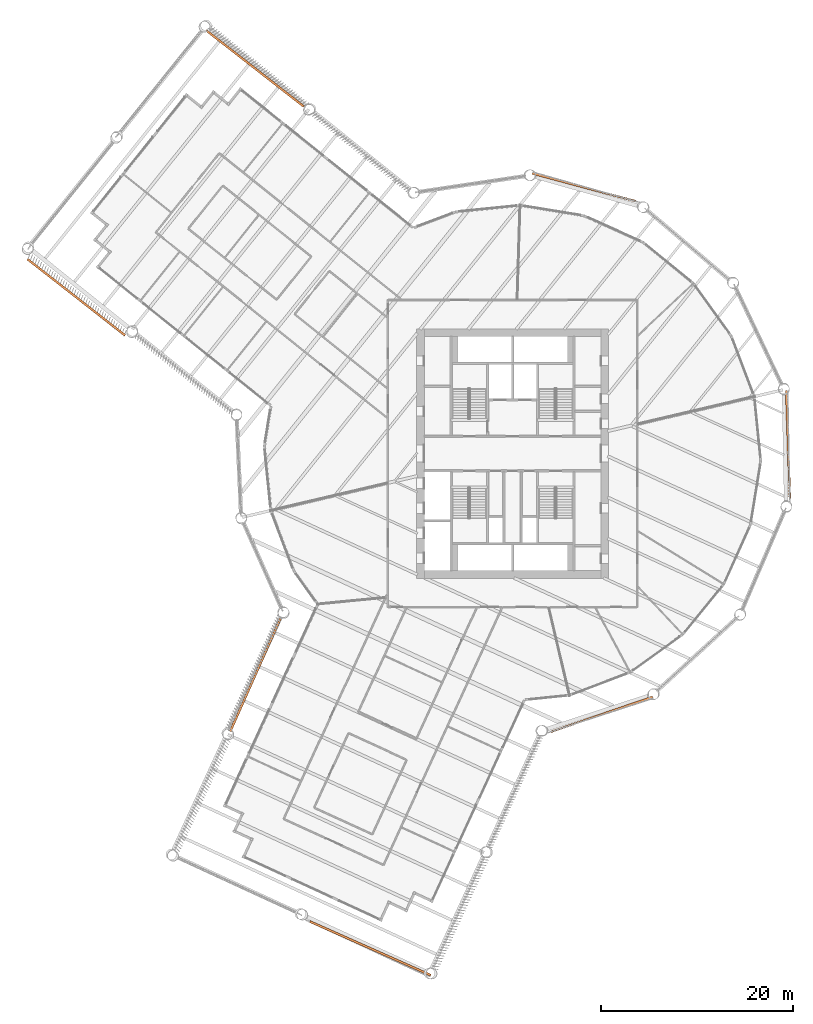
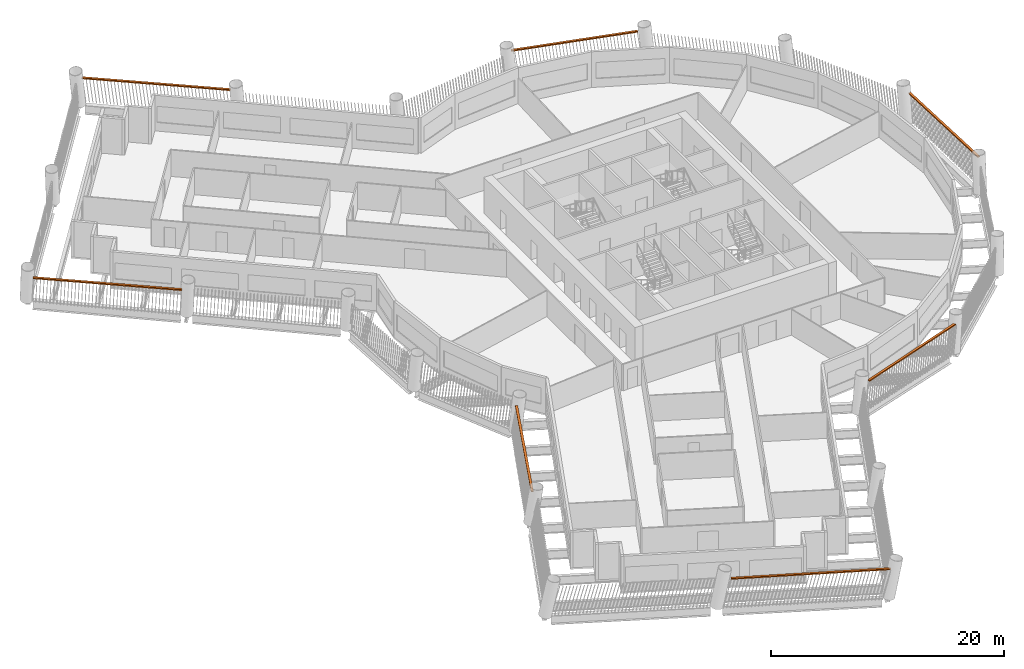
# One storey, part 16 of 16: 7 proxies.
"""IFC4 building model written with IfcOpenShell, lengths in metres."""

from ifc_helpers import new_model, si_unit, direction, frame, origin, origin_2d, place, context, subcontext, project, spatial, rectangle, extrude, material, type_object, element, save


model = new_model("IFC4")

# Units and contexts
model_context = context("Model", 3, precision=1e-05, world=origin(), true_north=direction((0.0, 1.0)))
body_context = subcontext(model_context, "Body", "Model", "MODEL_VIEW")
ifc_project = project(units=[si_unit("LENGTHUNIT", "METRE"), si_unit("AREAUNIT", "SQUARE_METRE"), si_unit("VOLUMEUNIT", "CUBIC_METRE"), si_unit("PLANEANGLEUNIT", "RADIAN"), si_unit("MASSUNIT", "GRAM", prefix="KILO")], contexts=[model_context])

# Site, building, storey
site_placement = place(None, origin())
site = spatial("IfcSite", under=ifc_project, at=site_placement, CompositionType="ELEMENT")
building_placement = place(site_placement, origin())
building = spatial("IfcBuilding", under=site, at=building_placement, Name="Tarsis Ring Headquarters", CompositionType="ELEMENT")
storey_placement = place(building_placement, frame((0.0, 0.0, 112.300048828125)))
storey = spatial("IfcBuildingStorey", under=building, at=storey_placement, Name="L25", CompositionType="ELEMENT", Elevation=112.300048828125)

# Proxies
ifc_material = material(Name="Structural steel S355", Category="steel")
building_element_proxy_type = type_object("IfcBuildingElementProxyType", Name="Screen bracket plate", PredefinedType="USERDEFINED", material=ifc_material)
proxy_1_placement = place(storey_placement, frame((-26.7939453125, -23.052001953125, 2.952392578125), z_axis=(0.0, 0.0, 1.0), x_axis=(-0.406098784914, -0.913829183651, 0.0)))
element("IfcBuildingElementProxy", 1, at=proxy_1_placement, inside=storey, type_object=building_element_proxy_type, Name="Screen bracket L25-01", ObjectType="Bracket", PredefinedType="USERDEFINED", context=body_context, shape_type="SweptSolid", body=[
    extrude(rectangle(XDim=12.90234375, YDim=0.222900390625, at=origin_2d()), origin(), (0.0, 0.0, 1.0), 0.1201171875),
])
proxy_2_placement = place(storey_placement, frame((-14.81103515625, -51.551025390625, 2.952392578125), z_axis=(0.0, 0.0, 1.0), x_axis=(0.913829183651, -0.406098784914, 0.0)))
element("IfcBuildingElementProxy", 2, at=proxy_2_placement, inside=storey, type_object=building_element_proxy_type, Name="Screen bracket L25-04", ObjectType="Bracket", PredefinedType="USERDEFINED", context=body_context, shape_type="SweptSolid", body=[
    extrude(rectangle(XDim=13.800048828125, YDim=0.222900390625, at=origin_2d()), origin(), (0.0, 0.0, 1.0), 0.1201171875),
])
for number, where, z_axis, x_axis, name in (
    (3, (9.274658203125, -27.18017578125, 2.952392578125), (0.0, 0.0, 1.0), (0.946416864879, 0.322947546628, 0.0), "Screen bracket L25-07"),
    (4, (28.703857421875, 0.9365234375, 2.952392578125), (0.0, 0.0, 1.0), (-0.032610092842, 0.99946814949, 0.0), "Screen bracket L25-10"),
    (5, (7.4833984375, 27.72705078125, 2.952392578125), (0.0, 0.0, 1.0), (-0.965455469685, 0.26056810253, 0.0), "Screen bracket L25-13"),
):
    element("IfcBuildingElementProxy", number, at=place(storey_placement, frame(where, z_axis=z_axis, x_axis=x_axis)), inside=storey, type_object=building_element_proxy_type, Name=name, ObjectType="Bracket", PredefinedType="USERDEFINED", context=body_context, shape_type="SweptSolid", body=[
        extrude(rectangle(XDim=11.248779296875, YDim=0.222900390625, at=origin_2d()), origin(), (0.0, 0.0, 1.0), 0.1201171875),
    ])
for number, where, z_axis, x_axis, name in (
    (6, (-26.846435546875, 40.126220703125, 2.952392578125), (0.0, 0.0, 1.0), (-0.78844035286, 0.615111217571, 0.0), "Screen bracket L25-16"),
    (7, (-45.45166015625, 16.278076171875, 2.952392578125), (0.0, 0.0, 1.0), (0.78844035286, -0.615111217571, 0.0), "Screen bracket L25-19"),
):
    element("IfcBuildingElementProxy", number, at=place(storey_placement, frame(where, z_axis=z_axis, x_axis=x_axis)), inside=storey, type_object=building_element_proxy_type, Name=name, ObjectType="Bracket", PredefinedType="USERDEFINED", context=body_context, shape_type="SweptSolid", body=[
        extrude(rectangle(XDim=12.90234375, YDim=0.222900390625, at=origin_2d()), origin(), (0.0, 0.0, 1.0), 0.1201171875),
    ])

save(model, "model.ifc")
